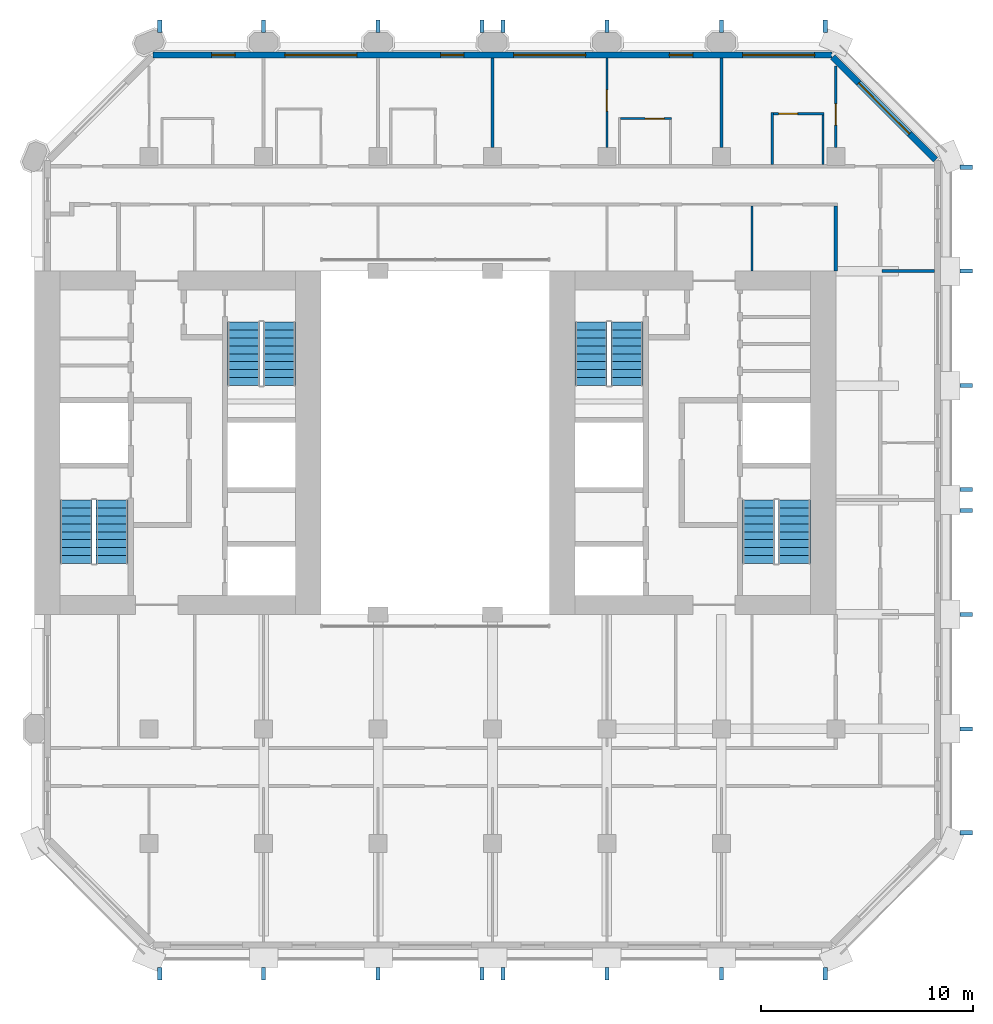
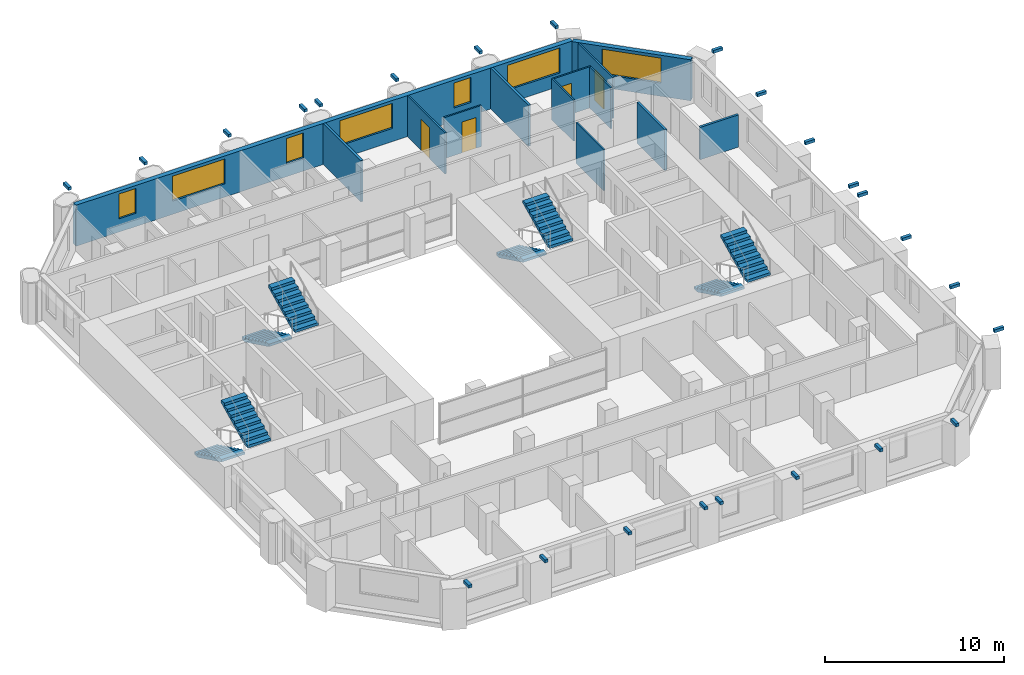
# One storey, part 10 of 12: 24 discrete accessories, 13 walls, 8 stair flights, 7 windows, 4 doors, 11 openings, 4 elements without a shape of their own.
"""IFC4 building model written with IfcOpenShell, lengths in metres."""

from ifc_helpers import new_model, si_unit, direction, frame, frame_2d, origin, origin_2d, place, context, subcontext, project, spatial, polyline, rectangle, outline, extrude, material, layer, layer_set, type_object, element, fill, aggregate, save


model = new_model("IFC4")

# Units and contexts
model_context = context("Model", 3, precision=1e-05, world=origin(), true_north=direction((0.0, 1.0)))
body_context = subcontext(model_context, "Body", "Model", "MODEL_VIEW")
ifc_project = project(units=[si_unit("LENGTHUNIT", "METRE"), si_unit("AREAUNIT", "SQUARE_METRE"), si_unit("VOLUMEUNIT", "CUBIC_METRE"), si_unit("PLANEANGLEUNIT", "RADIAN"), si_unit("MASSUNIT", "GRAM", prefix="KILO")], contexts=[model_context])

# Site, building, storey
site_placement = place(None, origin())
site = spatial("IfcSite", under=ifc_project, at=site_placement, CompositionType="ELEMENT")
building_placement = place(site_placement, origin())
building = spatial("IfcBuilding", under=site, at=building_placement, Name="Tabaq Tower and Sports Hall", CompositionType="ELEMENT")
storey_placement = place(building_placement, frame((0.0, 0.0, 172.60009765625)))
storey = spatial("IfcBuildingStorey", under=building, at=storey_placement, Name="L41", CompositionType="ELEMENT", Elevation=172.60009765625)

# Wall, opening, door
ifc_material_1 = material(Name="Gypsum board on steel studs", Category="steel")
ifc_layer_1 = layer(ifc_material_1, 0.10009765625)
ifc_layer_set_1 = layer_set([ifc_layer_1], Name="Partition 100 Gypsum board")
wall_type_1 = type_object("IfcWallType", Name="Partition 100 Gypsum board", PredefinedType="PARTITIONING", material=ifc_layer_set_1)
wall_1_placement = place(storey_placement, frame((32.39990234375, 42.448974609375, 0.0), z_axis=(0.0, 0.0, 1.0), x_axis=(0.0, -1.0, 0.0)))
wall_1 = element("IfcWall", 1, at=wall_1_placement, inside=storey, type_object=wall_type_1, Name="Partition wall L41", PredefinedType="PARTITIONING", context=body_context, shape_type="SweptSolid", body=[
    extrude(rectangle(XDim=4.203857421875, YDim=0.10009765625, at=frame_2d((2.10205078125, 0.0))), origin(), (0.0, 0.0, 1.0), 2.7998046875),
])
opening_1_placement = place(wall_1_placement, frame((1.4970703125, 0.0, 0.0)))
opening_1 = element("IfcOpeningElement", 2, at=opening_1_placement, cuts=wall_1, Name="Opening L41-032", PredefinedType="OPENING", context=body_context, shape_type="SweptSolid", body=[
    extrude(rectangle(XDim=1.0, YDim=2.10009765625, at=frame_2d((0.5, 1.050048828125))), frame((0.0, 0.050048828125, 0.0), z_axis=(0.0, -1.0, 0.0), x_axis=(1.0, 0.0, 0.0)), (0.0, 0.0, 1.0), 0.10009765625),
])
ifc_material_2 = material(Name="Timber leaf in steel frame", Category="steel")
door_type_1 = type_object("IfcDoorType", Name="Internal door 1000 right hand", OperationType="SINGLE_SWING_RIGHT", PredefinedType="DOOR", material=ifc_material_2)
door_1_placement = place(opening_1_placement, origin())
door_1 = element("IfcDoor", 3, at=door_1_placement, inside=storey, type_object=door_type_1, Name="Internal door L41-032", OperationType="SINGLE_SWING_RIGHT", OverallHeight=2.10009765625, OverallWidth=1.0, PredefinedType="DOOR", context=body_context, shape_type="SweptSolid", body=[
    extrude(rectangle(XDim=1.0, YDim=2.10009765625, at=frame_2d((0.5, 1.050048828125))), frame((0.0, 0.02490234375, 0.0), z_axis=(0.0, -1.0, 0.0), x_axis=(1.0, 0.0, 0.0)), (0.0, 0.0, 1.0), 0.050048828125),
])
fill(opening_1, door_1)

wall_2_placement = place(storey_placement, frame((33.050048828125, 39.60009765625, 0.0), z_axis=(0.0, 0.0, 1.0), x_axis=(1.0, 0.0, 0.0)))
wall_2 = element("IfcWall", 4, at=wall_2_placement, inside=storey, type_object=wall_type_1, Name="Partition wall L41", PredefinedType="PARTITIONING", context=body_context, shape_type="SweptSolid", body=[
    extrude(rectangle(XDim=2.39990234375, YDim=0.10009765625, at=frame_2d((1.199951171875, 0.0))), origin(), (0.0, 0.0, 1.0), 2.7998046875),
])
opening_2_placement = place(wall_2_placement, frame((1.14990234375, 0.0, 0.0)))
opening_2 = element("IfcOpeningElement", 5, at=opening_2_placement, cuts=wall_2, Name="Opening L41-005", PredefinedType="OPENING", context=body_context, shape_type="SweptSolid", body=[
    extrude(rectangle(XDim=0.89990234375, YDim=2.10009765625, at=frame_2d((0.449951171875, 1.050048828125))), frame((0.0, 0.050048828125, 0.0), z_axis=(0.0, -1.0, 0.0), x_axis=(1.0, 0.0, 0.0)), (0.0, 0.0, 1.0), 0.10009765625),
])
ifc_material_3 = material(Name="Timber leaf in steel frame", Category="steel")
door_type_2 = type_object("IfcDoorType", Name="Internal door 900 right hand", OperationType="SINGLE_SWING_RIGHT", PredefinedType="DOOR", material=ifc_material_3)
door_2_placement = place(opening_2_placement, origin())
door_2 = element("IfcDoor", 6, at=door_2_placement, inside=storey, type_object=door_type_2, Name="Internal door L41-005", OperationType="SINGLE_SWING_RIGHT", OverallHeight=2.10009765625, OverallWidth=0.89990234375, PredefinedType="DOOR", context=body_context, shape_type="SweptSolid", body=[
    extrude(rectangle(XDim=0.89990234375, YDim=2.10009765625, at=frame_2d((0.449951171875, 1.050048828125))), frame((0.0, 0.02490234375, 0.0), z_axis=(0.0, -1.0, 0.0), x_axis=(1.0, 0.0, 0.0)), (0.0, 0.0, 1.0), 0.050048828125),
])
fill(opening_2, door_2)

# Wall
wall_3_placement = place(storey_placement, frame((40.199951171875, 37.425048828125, 0.0), z_axis=(0.0, 0.0, 1.0), x_axis=(0.0, 1.0, 0.0)))
element("IfcWall", 7, at=wall_3_placement, inside=storey, type_object=wall_type_1, Name="Partition wall L41", PredefinedType="PARTITIONING", context=body_context, shape_type="SweptSolid", body=[
    extrude(rectangle(XDim=2.449951171875, YDim=0.10009765625, at=frame_2d((1.22509765625, 0.0))), origin(), (0.0, 0.0, 1.0), 2.7998046875),
])

# Wall, opening, door
wall_4_placement = place(storey_placement, frame((40.25, 39.824951171875, 0.0), z_axis=(0.0, 0.0, 1.0), x_axis=(1.0, 0.0, 0.0)))
wall_4 = element("IfcWall", 8, at=wall_4_placement, inside=storey, type_object=wall_type_1, Name="Partition wall L41", PredefinedType="PARTITIONING", context=body_context, shape_type="SweptSolid", body=[
    extrude(rectangle(XDim=2.39990234375, YDim=0.10009765625, at=frame_2d((1.199951171875, 0.0))), origin(), (0.0, 0.0, 1.0), 2.7998046875),
])
opening_3_placement = place(wall_4_placement, frame((0.25, 0.0, 0.0)))
opening_3 = element("IfcOpeningElement", 9, at=opening_3_placement, cuts=wall_4, Name="Opening L41-006", PredefinedType="OPENING", context=body_context, shape_type="SweptSolid", body=[
    extrude(rectangle(XDim=0.89990234375, YDim=2.10009765625, at=frame_2d((0.449951171875, 1.050048828125))), frame((0.0, 0.050048828125, 0.0), z_axis=(0.0, -1.0, 0.0), x_axis=(1.0, 0.0, 0.0)), (0.0, 0.0, 1.0), 0.10009765625),
])
ifc_material_4 = material(Name="Timber leaf in steel frame", Category="steel")
door_type_3 = type_object("IfcDoorType", Name="Internal door 900 left hand", OperationType="SINGLE_SWING_LEFT", PredefinedType="DOOR", material=ifc_material_4)
door_3_placement = place(opening_3_placement, origin())
door_3 = element("IfcDoor", 10, at=door_3_placement, inside=storey, type_object=door_type_3, Name="Internal door L41-006", OperationType="SINGLE_SWING_LEFT", OverallHeight=2.10009765625, OverallWidth=0.89990234375, PredefinedType="DOOR", context=body_context, shape_type="SweptSolid", body=[
    extrude(rectangle(XDim=0.89990234375, YDim=2.10009765625, at=frame_2d((0.449951171875, 1.050048828125))), frame((0.0, 0.02490234375, 0.0), z_axis=(0.0, -1.0, 0.0), x_axis=(1.0, 0.0, 0.0)), (0.0, 0.0, 1.0), 0.050048828125),
])
fill(opening_3, door_3)

# Wall
wall_5_placement = place(storey_placement, frame((42.60009765625, 39.77490234375, 0.0), z_axis=(0.0, 0.0, 1.0), x_axis=(0.0, -1.0, 0.0)))
element("IfcWall", 11, at=wall_5_placement, inside=storey, type_object=wall_type_1, Name="Partition wall L41", PredefinedType="PARTITIONING", context=body_context, shape_type="SweptSolid", body=[
    extrude(rectangle(XDim=2.349853515625, YDim=0.10009765625, at=frame_2d((1.1748046875, 0.0))), origin(), (0.0, 0.0, 1.0), 2.7998046875),
])

# Wall, opening, door
wall_6_placement = place(storey_placement, frame((43.199951171875, 38.2451171875, 0.0), z_axis=(0.0, 0.0, 1.0), x_axis=(0.0, 1.0, 0.0)))
wall_6 = element("IfcWall", 12, at=wall_6_placement, inside=storey, type_object=wall_type_1, Name="Partition wall L41", PredefinedType="PARTITIONING", context=body_context, shape_type="SweptSolid", body=[
    extrude(rectangle(XDim=3.8427734375, YDim=0.10009765625, at=frame_2d((1.92138671875, 0.0))), origin(), (0.0, 0.0, 1.0), 2.7998046875),
])
opening_4_placement = place(wall_6_placement, frame((1.04248046875, 0.0, 0.0)))
opening_4 = element("IfcOpeningElement", 13, at=opening_4_placement, cuts=wall_6, Name="Opening L41-034", PredefinedType="OPENING", context=body_context, shape_type="SweptSolid", body=[
    extrude(rectangle(XDim=1.0, YDim=2.10009765625, at=frame_2d((0.5, 1.050048828125))), frame((0.0, 0.050048828125, 0.0), z_axis=(0.0, -1.0, 0.0), x_axis=(1.0, 0.0, 0.0)), (0.0, 0.0, 1.0), 0.10009765625),
])
ifc_material_5 = material(Name="Timber leaf in steel frame", Category="steel")
door_type_4 = type_object("IfcDoorType", Name="Internal door 1000 left hand", OperationType="SINGLE_SWING_LEFT", PredefinedType="DOOR", material=ifc_material_5)
door_4_placement = place(opening_4_placement, origin())
door_4 = element("IfcDoor", 14, at=door_4_placement, inside=storey, type_object=door_type_4, Name="Internal door L41-034", OperationType="SINGLE_SWING_LEFT", OverallHeight=2.10009765625, OverallWidth=1.0, PredefinedType="DOOR", context=body_context, shape_type="SweptSolid", body=[
    extrude(rectangle(XDim=1.0, YDim=2.10009765625, at=frame_2d((0.5, 1.050048828125))), frame((0.0, 0.02490234375, 0.0), z_axis=(0.0, -1.0, 0.0), x_axis=(1.0, 0.0, 0.0)), (0.0, 0.0, 1.0), 0.050048828125),
])
fill(opening_4, door_4)

# Walls
wall_7_placement = place(storey_placement, frame((39.25, 32.39990234375, 0.0), z_axis=(0.0, 0.0, 1.0), x_axis=(0.0, 1.0, 0.0)))
element("IfcWall", 15, at=wall_7_placement, inside=storey, type_object=wall_type_1, Name="Partition wall L41", PredefinedType="PARTITIONING", context=body_context, shape_type="SweptSolid", body=[
    extrude(rectangle(XDim=3.0751953125, YDim=0.10009765625, at=frame_2d((1.53759765625, 0.0))), origin(), (0.0, 0.0, 1.0), 2.7998046875),
])
ifc_material_6 = material(Name="Blockwork", Category="masonry")
ifc_layer_2 = layer(ifc_material_6, 0.14990234375)
ifc_layer_set_2 = layer_set([ifc_layer_2], Name="Separating wall 150 Blockwork")
wall_type_2 = type_object("IfcWallType", Name="Separating wall 150 Blockwork", PredefinedType="PARTITIONING", material=ifc_layer_set_2)
wall_8_placement = place(storey_placement, frame((45.375, 32.39990234375, 0.0), z_axis=(0.0, 0.0, 1.0), x_axis=(1.0, 0.0, 0.0)))
element("IfcWall", 16, at=wall_8_placement, inside=storey, type_object=wall_type_2, Name="Separating wall L41", PredefinedType="PARTITIONING", context=body_context, shape_type="SweptSolid", body=[
    extrude(rectangle(XDim=2.47412109375, YDim=0.14990234375, at=frame_2d((1.237060546875, 0.0))), origin(), (0.0, 0.0, 1.0), 2.199951171875),
])
for number, where, z_axis, x_axis, name in (
    (17, (27.0, 38.2451171875, 0.0), (0.0, 0.0, 1.0), (0.0, 1.0, 0.0), "Separating wall L41"),
    (18, (37.800048828125, 38.2451171875, 0.0), (0.0, 0.0, 1.0), (0.0, 1.0, 0.0), "Separating wall L41"),
):
    element("IfcWall", number, at=place(storey_placement, frame(where, z_axis=z_axis, x_axis=x_axis)), inside=storey, type_object=wall_type_2, Name=name, PredefinedType="PARTITIONING", context=body_context, shape_type="SweptSolid", body=[
        extrude(rectangle(XDim=4.203857421875, YDim=0.14990234375, at=frame_2d((2.10205078125, 0.0))), origin(), (0.0, 0.0, 1.0), 2.7998046875),
    ])
wall_9_placement = place(storey_placement, frame((43.199951171875, 35.47509765625, 0.0), z_axis=(0.0, 0.0, 1.0), x_axis=(0.0, -1.0, 0.0)))
element("IfcWall", 19, at=wall_9_placement, inside=storey, type_object=wall_type_2, Name="Separating wall L41", PredefinedType="PARTITIONING", context=body_context, shape_type="SweptSolid", body=[
    extrude(rectangle(XDim=3.0751953125, YDim=0.14990234375, at=frame_2d((1.53759765625, 0.0))), origin(), (0.0, 0.0, 1.0), 2.7998046875),
])

# Wall, opening, window
ifc_material_7 = material(Name="White precast concrete C60/75", Category="concrete")
ifc_layer_3 = layer(ifc_material_7, 0.300048828125)
ifc_layer_set_3 = layer_set([ifc_layer_3], Name="White precast concrete C60/75 external wall 300")
wall_type_3 = type_object("IfcWallType", Name="White precast concrete C60/75 external wall 300", PredefinedType="SOLIDWALL", material=ifc_layer_set_3)
wall_10_placement = place(storey_placement, frame((47.901123046875, 37.650390625, 0.0), z_axis=(0.0, 0.0, 1.0), x_axis=(-0.707106781187, 0.707106781187, 0.0)))
wall_10 = element("IfcWall", 20, at=wall_10_placement, inside=storey, type_object=wall_type_3, Name="External Wall L41 NE", PredefinedType="SOLIDWALL", context=body_context, shape_type="SweptSolid", body=[
    extrude(rectangle(XDim=6.85986328125, YDim=0.300048828125, at=frame_2d((3.429931640625, 0.0))), origin(), (0.0, 0.0, 1.0), 2.7998046875),
])
opening_5_placement = place(wall_10_placement, frame((1.729736328125, 0.0, 0.89990234375)))
opening_5 = element("IfcOpeningElement", 21, at=opening_5_placement, cuts=wall_10, Name="Opening W1A", PredefinedType="OPENING", context=body_context, shape_type="SweptSolid", body=[
    extrude(rectangle(XDim=3.39990234375, YDim=1.699951171875, at=frame_2d((1.699951171875, 0.85009765625))), frame((0.0, 0.16015625, 0.0), z_axis=(0.0, -1.0, 0.0), x_axis=(1.0, 0.0, 0.0)), (0.0, 0.0, 1.0), 0.320068359375),
])
ifc_material_8 = material(Name="Aluminium framed clear glazing", Category="aluminium")
window_type_1 = type_object("IfcWindowType", Name="Window W1A", PartitioningType="SINGLE_PANEL", PredefinedType="WINDOW", material=ifc_material_8)
window_1_placement = place(opening_5_placement, origin())
window_1 = element("IfcWindow", 22, at=window_1_placement, inside=storey, type_object=window_type_1, Name="Window W1A L41", OverallHeight=1.699951171875, OverallWidth=3.39990234375, PartitioningType="SINGLE_PANEL", PredefinedType="WINDOW", context=body_context, shape_type="SweptSolid", body=[
    extrude(rectangle(XDim=3.39990234375, YDim=1.699951171875, at=frame_2d((1.699951171875, 0.85009765625))), frame((0.0, 0.030029296875, 0.0), z_axis=(0.0, -1.0, 0.0), x_axis=(1.0, 0.0, 0.0)), (0.0, 0.0, 1.0), 0.06005859375),
])
fill(opening_5, window_1)

# Wall, openings, windows
wall_11_placement = place(storey_placement, frame((43.013671875, 42.60009765625, 0.0), z_axis=(0.0, 0.0, 1.0), x_axis=(-1.0, 0.0, 0.0)))
wall_11 = element("IfcWall", 23, at=wall_11_placement, inside=storey, type_object=wall_type_3, Name="External Wall L41 N", PredefinedType="SOLIDWALL", context=body_context, shape_type="SweptSolid", body=[
    extrude(rectangle(XDim=32.02734375, YDim=0.300048828125, at=frame_2d((16.013671875, 0.0))), origin(), (0.0, 0.0, 1.0), 2.7998046875),
])
opening_6_placement = place(wall_11_placement, frame((0.813720703125, 0.0, 0.89990234375)))
opening_6 = element("IfcOpeningElement", 24, at=opening_6_placement, cuts=wall_11, Name="Opening W1A", PredefinedType="OPENING", context=body_context, shape_type="SweptSolid", body=[
    extrude(rectangle(XDim=3.39990234375, YDim=1.699951171875, at=frame_2d((1.699951171875, 0.85009765625))), frame((0.0, 0.16015625, 0.0), z_axis=(0.0, -1.0, 0.0), x_axis=(1.0, 0.0, 0.0)), (0.0, 0.0, 1.0), 0.320068359375),
])
opening_7_placement = place(wall_11_placement, frame((6.563720703125, 0.0, 0.89990234375)))
opening_7 = element("IfcOpeningElement", 25, at=opening_7_placement, cuts=wall_11, Name="Opening W1B", PredefinedType="OPENING", context=body_context, shape_type="SweptSolid", body=[
    extrude(rectangle(XDim=1.10009765625, YDim=1.699951171875, at=frame_2d((0.550048828125, 0.85009765625))), frame((0.0, 0.16015625, 0.0), z_axis=(0.0, -1.0, 0.0), x_axis=(1.0, 0.0, 0.0)), (0.0, 0.0, 1.0), 0.320068359375),
])
opening_8_placement = place(wall_11_placement, frame((11.613525390625, 0.0, 0.89990234375)))
opening_8 = element("IfcOpeningElement", 26, at=opening_8_placement, cuts=wall_11, Name="Opening W1A", PredefinedType="OPENING", context=body_context, shape_type="SweptSolid", body=[
    extrude(rectangle(XDim=3.39990234375, YDim=1.699951171875, at=frame_2d((1.699951171875, 0.85009765625))), frame((0.0, 0.16015625, 0.0), z_axis=(0.0, -1.0, 0.0), x_axis=(1.0, 0.0, 0.0)), (0.0, 0.0, 1.0), 0.320068359375),
])
opening_9_placement = place(wall_11_placement, frame((17.363525390625, 0.0, 0.89990234375)))
opening_9 = element("IfcOpeningElement", 27, at=opening_9_placement, cuts=wall_11, Name="Opening W1B", PredefinedType="OPENING", context=body_context, shape_type="SweptSolid", body=[
    extrude(rectangle(XDim=1.10009765625, YDim=1.699951171875, at=frame_2d((0.550048828125, 0.85009765625))), frame((0.0, 0.16015625, 0.0), z_axis=(0.0, -1.0, 0.0), x_axis=(1.0, 0.0, 0.0)), (0.0, 0.0, 1.0), 0.320068359375),
])
opening_10_placement = place(wall_11_placement, frame((22.41357421875, 0.0, 0.89990234375)))
opening_10 = element("IfcOpeningElement", 28, at=opening_10_placement, cuts=wall_11, Name="Opening W1A", PredefinedType="OPENING", context=body_context, shape_type="SweptSolid", body=[
    extrude(rectangle(XDim=3.39990234375, YDim=1.699951171875, at=frame_2d((1.699951171875, 0.85009765625))), frame((0.0, 0.16015625, 0.0), z_axis=(0.0, -1.0, 0.0), x_axis=(1.0, 0.0, 0.0)), (0.0, 0.0, 1.0), 0.320068359375),
])
opening_11_placement = place(wall_11_placement, frame((28.16357421875, 0.0, 0.89990234375)))
opening_11 = element("IfcOpeningElement", 29, at=opening_11_placement, cuts=wall_11, Name="Opening W1B", PredefinedType="OPENING", context=body_context, shape_type="SweptSolid", body=[
    extrude(rectangle(XDim=1.10009765625, YDim=1.699951171875, at=frame_2d((0.550048828125, 0.85009765625))), frame((0.0, 0.16015625, 0.0), z_axis=(0.0, -1.0, 0.0), x_axis=(1.0, 0.0, 0.0)), (0.0, 0.0, 1.0), 0.320068359375),
])
window_2_placement = place(opening_6_placement, origin())
window_2 = element("IfcWindow", 30, at=window_2_placement, inside=storey, type_object=window_type_1, Name="Window W1A L41", OverallHeight=1.699951171875, OverallWidth=3.39990234375, PartitioningType="SINGLE_PANEL", PredefinedType="WINDOW", context=body_context, shape_type="SweptSolid", body=[
    extrude(rectangle(XDim=3.39990234375, YDim=1.699951171875, at=frame_2d((1.699951171875, 0.85009765625))), frame((0.0, 0.030029296875, 0.0), z_axis=(0.0, -1.0, 0.0), x_axis=(1.0, 0.0, 0.0)), (0.0, 0.0, 1.0), 0.06005859375),
])
fill(opening_6, window_2)
window_3_placement = place(opening_8_placement, origin())
window_3 = element("IfcWindow", 31, at=window_3_placement, inside=storey, type_object=window_type_1, Name="Window W1A L41", OverallHeight=1.699951171875, OverallWidth=3.39990234375, PartitioningType="SINGLE_PANEL", PredefinedType="WINDOW", context=body_context, shape_type="SweptSolid", body=[
    extrude(rectangle(XDim=3.39990234375, YDim=1.699951171875, at=frame_2d((1.699951171875, 0.85009765625))), frame((0.0, 0.030029296875, 0.0), z_axis=(0.0, -1.0, 0.0), x_axis=(1.0, 0.0, 0.0)), (0.0, 0.0, 1.0), 0.06005859375),
])
fill(opening_8, window_3)
window_4_placement = place(opening_10_placement, origin())
window_4 = element("IfcWindow", 32, at=window_4_placement, inside=storey, type_object=window_type_1, Name="Window W1A L41", OverallHeight=1.699951171875, OverallWidth=3.39990234375, PartitioningType="SINGLE_PANEL", PredefinedType="WINDOW", context=body_context, shape_type="SweptSolid", body=[
    extrude(rectangle(XDim=3.39990234375, YDim=1.699951171875, at=frame_2d((1.699951171875, 0.85009765625))), frame((0.0, 0.030029296875, 0.0), z_axis=(0.0, -1.0, 0.0), x_axis=(1.0, 0.0, 0.0)), (0.0, 0.0, 1.0), 0.06005859375),
])
fill(opening_10, window_4)
ifc_material_9 = material(Name="Aluminium framed clear glazing", Category="aluminium")
window_type_2 = type_object("IfcWindowType", Name="Window W1B", PartitioningType="SINGLE_PANEL", PredefinedType="WINDOW", material=ifc_material_9)
window_5_placement = place(opening_7_placement, origin())
window_5 = element("IfcWindow", 33, at=window_5_placement, inside=storey, type_object=window_type_2, Name="Window W1B L41", OverallHeight=1.699951171875, OverallWidth=1.10009765625, PartitioningType="SINGLE_PANEL", PredefinedType="WINDOW", context=body_context, shape_type="SweptSolid", body=[
    extrude(rectangle(XDim=1.10009765625, YDim=1.699951171875, at=frame_2d((0.550048828125, 0.85009765625))), frame((0.0, 0.030029296875, 0.0), z_axis=(0.0, -1.0, 0.0), x_axis=(1.0, 0.0, 0.0)), (0.0, 0.0, 1.0), 0.06005859375),
])
fill(opening_7, window_5)
window_6_placement = place(opening_9_placement, origin())
window_6 = element("IfcWindow", 34, at=window_6_placement, inside=storey, type_object=window_type_2, Name="Window W1B L41", OverallHeight=1.699951171875, OverallWidth=1.10009765625, PartitioningType="SINGLE_PANEL", PredefinedType="WINDOW", context=body_context, shape_type="SweptSolid", body=[
    extrude(rectangle(XDim=1.10009765625, YDim=1.699951171875, at=frame_2d((0.550048828125, 0.85009765625))), frame((0.0, 0.030029296875, 0.0), z_axis=(0.0, -1.0, 0.0), x_axis=(1.0, 0.0, 0.0)), (0.0, 0.0, 1.0), 0.06005859375),
])
fill(opening_9, window_6)
window_7_placement = place(opening_11_placement, origin())
window_7 = element("IfcWindow", 35, at=window_7_placement, inside=storey, type_object=window_type_2, Name="Window W1B L41", OverallHeight=1.699951171875, OverallWidth=1.10009765625, PartitioningType="SINGLE_PANEL", PredefinedType="WINDOW", context=body_context, shape_type="SweptSolid", body=[
    extrude(rectangle(XDim=1.10009765625, YDim=1.699951171875, at=frame_2d((0.550048828125, 0.85009765625))), frame((0.0, 0.030029296875, 0.0), z_axis=(0.0, -1.0, 0.0), x_axis=(1.0, 0.0, 0.0)), (0.0, 0.0, 1.0), 0.06005859375),
])
fill(opening_11, window_7)

# Stair, stair flights
ifc_material_10 = material(Name="Concrete C40/50", Category="concrete")
stair_type = type_object("IfcStairType", Name="Exit stair", PredefinedType="HALF_TURN_STAIR", material=ifc_material_10)
stair_1_placement = place(storey_placement, origin())
stair_1 = element("IfcStair", 36, at=stair_1_placement, inside=storey, type_object=stair_type, Name="L41 Exit stair ST1", PredefinedType="HALF_TURN_STAIR")
ifc_material_11 = material(Name="Concrete C40/50", Category="concrete")
stair_flight_type = type_object("IfcStairFlightType", Name="Exit stair flight", PredefinedType="STRAIGHT", material=ifc_material_11)
stair_flight_1_placement = place(storey_placement, frame((7.35009765625, 21.60009765625, 0.0), z_axis=(0.0, 0.0, 1.0), x_axis=(0.0, -1.0, 0.0)))
stair_flight_1 = element("IfcStairFlight", 37, at=stair_flight_1_placement, type_object=stair_flight_type, Name="ST1 flight 1", NumberOfRisers=9, NumberOfTreads=8, PredefinedType="STRAIGHT", RiserHeight=0.183333333, TreadLength=0.375, context=body_context, shape_type="SweptSolid", body=[
    extrude(outline(polyline([(0.0, 0.0), (0.0, 0.183349609375), (0.375, 0.183349609375), (0.375, 0.36669921875), (0.75, 0.36669921875), (0.75, 0.550048828125), (1.125, 0.550048828125), (1.125, 0.7333984375), (1.5, 0.7333984375), (1.5, 0.916748046875), (1.875, 0.916748046875), (1.875, 1.10009765625), (2.25, 1.10009765625), (2.25, 1.283447265625), (2.625, 1.283447265625), (2.625, 1.466552734375), (3.0, 1.466552734375), (3.0, 1.64990234375), (3.0, 1.2998046875), (0.34130859375, 0.0), (0.0, 0.0)])), frame((0.0, 0.75, 0.0), z_axis=(0.0, -1.0, 0.0), x_axis=(1.0, 0.0, 0.0)), (0.0, 0.0, 1.0), 1.5),
])
stair_flight_2_placement = place(storey_placement, frame((9.050048828125, 18.60009765625, 1.64990234375), z_axis=(0.0, 0.0, 1.0), x_axis=(0.0, 1.0, 0.0)))
stair_flight_2 = element("IfcStairFlight", 38, at=stair_flight_2_placement, type_object=stair_flight_type, Name="ST1 flight 2", NumberOfRisers=9, NumberOfTreads=8, PredefinedType="STRAIGHT", RiserHeight=0.183333333, TreadLength=0.375, context=body_context, shape_type="SweptSolid", body=[
    extrude(outline(polyline([(0.0, 0.0), (0.0, 0.183349609375), (0.375, 0.183349609375), (0.375, 0.36669921875), (0.75, 0.36669921875), (0.75, 0.550048828125), (1.125, 0.550048828125), (1.125, 0.7333984375), (1.5, 0.7333984375), (1.5, 0.916748046875), (1.875, 0.916748046875), (1.875, 1.10009765625), (2.25, 1.10009765625), (2.25, 1.283447265625), (2.625, 1.283447265625), (2.625, 1.466552734375), (3.0, 1.466552734375), (3.0, 1.64990234375), (3.0, 1.2998046875), (0.34130859375, 0.0), (0.0, 0.0)])), frame((0.0, 0.75, 0.0), z_axis=(0.0, -1.0, 0.0), x_axis=(1.0, 0.0, 0.0)), (0.0, 0.0, 1.0), 1.5),
])
aggregate(stair_1, [stair_flight_1, stair_flight_2])

stair_2_placement = place(storey_placement, origin())
stair_2 = element("IfcStair", 39, at=stair_2_placement, inside=storey, type_object=stair_type, Name="L41 Exit stair ST2", PredefinedType="HALF_TURN_STAIR")
stair_flight_3_placement = place(storey_placement, frame((15.25, 30.0, 0.0), z_axis=(0.0, 0.0, 1.0), x_axis=(0.0, -1.0, 0.0)))
stair_flight_3 = element("IfcStairFlight", 40, at=stair_flight_3_placement, type_object=stair_flight_type, Name="ST2 flight 1", NumberOfRisers=9, NumberOfTreads=8, PredefinedType="STRAIGHT", RiserHeight=0.183333333, TreadLength=0.375, context=body_context, shape_type="SweptSolid", body=[
    extrude(outline(polyline([(0.0, 0.0), (0.0, 0.183349609375), (0.375, 0.183349609375), (0.375, 0.36669921875), (0.75, 0.36669921875), (0.75, 0.550048828125), (1.125, 0.550048828125), (1.125, 0.7333984375), (1.5, 0.7333984375), (1.5, 0.916748046875), (1.875, 0.916748046875), (1.875, 1.10009765625), (2.25, 1.10009765625), (2.25, 1.283447265625), (2.625, 1.283447265625), (2.625, 1.466552734375), (3.0, 1.466552734375), (3.0, 1.64990234375), (3.0, 1.2998046875), (0.34130859375, 0.0), (0.0, 0.0)])), frame((0.0, 0.75, 0.0), z_axis=(0.0, -1.0, 0.0), x_axis=(1.0, 0.0, 0.0)), (0.0, 0.0, 1.0), 1.5),
])
stair_flight_4_placement = place(storey_placement, frame((16.949951171875, 27.0, 1.64990234375), z_axis=(0.0, 0.0, 1.0), x_axis=(0.0, 1.0, 0.0)))
stair_flight_4 = element("IfcStairFlight", 41, at=stair_flight_4_placement, type_object=stair_flight_type, Name="ST2 flight 2", NumberOfRisers=9, NumberOfTreads=8, PredefinedType="STRAIGHT", RiserHeight=0.183333333, TreadLength=0.375, context=body_context, shape_type="SweptSolid", body=[
    extrude(outline(polyline([(0.0, 0.0), (0.0, 0.183349609375), (0.375, 0.183349609375), (0.375, 0.36669921875), (0.75, 0.36669921875), (0.75, 0.550048828125), (1.125, 0.550048828125), (1.125, 0.7333984375), (1.5, 0.7333984375), (1.5, 0.916748046875), (1.875, 0.916748046875), (1.875, 1.10009765625), (2.25, 1.10009765625), (2.25, 1.283447265625), (2.625, 1.283447265625), (2.625, 1.466552734375), (3.0, 1.466552734375), (3.0, 1.64990234375), (3.0, 1.2998046875), (0.34130859375, 0.0), (0.0, 0.0)])), frame((0.0, 0.75, 0.0), z_axis=(0.0, -1.0, 0.0), x_axis=(1.0, 0.0, 0.0)), (0.0, 0.0, 1.0), 1.5),
])
aggregate(stair_2, [stair_flight_3, stair_flight_4])

stair_3_placement = place(storey_placement, origin())
stair_3 = element("IfcStair", 42, at=stair_3_placement, inside=storey, type_object=stair_type, Name="L41 Exit stair ST3", PredefinedType="HALF_TURN_STAIR")
stair_flight_5_placement = place(storey_placement, frame((39.550048828125, 21.60009765625, 0.0), z_axis=(0.0, 0.0, 1.0), x_axis=(0.0, -1.0, 0.0)))
stair_flight_5 = element("IfcStairFlight", 43, at=stair_flight_5_placement, type_object=stair_flight_type, Name="ST3 flight 1", NumberOfRisers=9, NumberOfTreads=8, PredefinedType="STRAIGHT", RiserHeight=0.183333333, TreadLength=0.375, context=body_context, shape_type="SweptSolid", body=[
    extrude(outline(polyline([(0.0, 0.0), (0.0, 0.183349609375), (0.375, 0.183349609375), (0.375, 0.36669921875), (0.75, 0.36669921875), (0.75, 0.550048828125), (1.125, 0.550048828125), (1.125, 0.7333984375), (1.5, 0.7333984375), (1.5, 0.916748046875), (1.875, 0.916748046875), (1.875, 1.10009765625), (2.25, 1.10009765625), (2.25, 1.283447265625), (2.625, 1.283447265625), (2.625, 1.466552734375), (3.0, 1.466552734375), (3.0, 1.64990234375), (3.0, 1.2998046875), (0.34130859375, 0.0), (0.0, 0.0)])), frame((0.0, 0.75, 0.0), z_axis=(0.0, -1.0, 0.0), x_axis=(1.0, 0.0, 0.0)), (0.0, 0.0, 1.0), 1.5),
])
stair_flight_6_placement = place(storey_placement, frame((41.25, 18.60009765625, 1.64990234375), z_axis=(0.0, 0.0, 1.0), x_axis=(0.0, 1.0, 0.0)))
stair_flight_6 = element("IfcStairFlight", 44, at=stair_flight_6_placement, type_object=stair_flight_type, Name="ST3 flight 2", NumberOfRisers=9, NumberOfTreads=8, PredefinedType="STRAIGHT", RiserHeight=0.183333333, TreadLength=0.375, context=body_context, shape_type="SweptSolid", body=[
    extrude(outline(polyline([(0.0, 0.0), (0.0, 0.183349609375), (0.375, 0.183349609375), (0.375, 0.36669921875), (0.75, 0.36669921875), (0.75, 0.550048828125), (1.125, 0.550048828125), (1.125, 0.7333984375), (1.5, 0.7333984375), (1.5, 0.916748046875), (1.875, 0.916748046875), (1.875, 1.10009765625), (2.25, 1.10009765625), (2.25, 1.283447265625), (2.625, 1.283447265625), (2.625, 1.466552734375), (3.0, 1.466552734375), (3.0, 1.64990234375), (3.0, 1.2998046875), (0.34130859375, 0.0), (0.0, 0.0)])), frame((0.0, 0.75, 0.0), z_axis=(0.0, -1.0, 0.0), x_axis=(1.0, 0.0, 0.0)), (0.0, 0.0, 1.0), 1.5),
])
aggregate(stair_3, [stair_flight_5, stair_flight_6])

stair_4_placement = place(storey_placement, origin())
stair_4 = element("IfcStair", 45, at=stair_4_placement, inside=storey, type_object=stair_type, Name="L41 Exit stair ST4", PredefinedType="HALF_TURN_STAIR")
stair_flight_7_placement = place(storey_placement, frame((31.64990234375, 30.0, 0.0), z_axis=(0.0, 0.0, 1.0), x_axis=(0.0, -1.0, 0.0)))
stair_flight_7 = element("IfcStairFlight", 46, at=stair_flight_7_placement, type_object=stair_flight_type, Name="ST4 flight 1", NumberOfRisers=9, NumberOfTreads=8, PredefinedType="STRAIGHT", RiserHeight=0.183333333, TreadLength=0.375, context=body_context, shape_type="SweptSolid", body=[
    extrude(outline(polyline([(0.0, 0.0), (0.0, 0.183349609375), (0.375, 0.183349609375), (0.375, 0.36669921875), (0.75, 0.36669921875), (0.75, 0.550048828125), (1.125, 0.550048828125), (1.125, 0.7333984375), (1.5, 0.7333984375), (1.5, 0.916748046875), (1.875, 0.916748046875), (1.875, 1.10009765625), (2.25, 1.10009765625), (2.25, 1.283447265625), (2.625, 1.283447265625), (2.625, 1.466552734375), (3.0, 1.466552734375), (3.0, 1.64990234375), (3.0, 1.2998046875), (0.34130859375, 0.0), (0.0, 0.0)])), frame((0.0, 0.75, 0.0), z_axis=(0.0, -1.0, 0.0), x_axis=(1.0, 0.0, 0.0)), (0.0, 0.0, 1.0), 1.5),
])
stair_flight_8_placement = place(storey_placement, frame((33.35009765625, 27.0, 1.64990234375), z_axis=(0.0, 0.0, 1.0), x_axis=(0.0, 1.0, 0.0)))
stair_flight_8 = element("IfcStairFlight", 47, at=stair_flight_8_placement, type_object=stair_flight_type, Name="ST4 flight 2", NumberOfRisers=9, NumberOfTreads=8, PredefinedType="STRAIGHT", RiserHeight=0.183333333, TreadLength=0.375, context=body_context, shape_type="SweptSolid", body=[
    extrude(outline(polyline([(0.0, 0.0), (0.0, 0.183349609375), (0.375, 0.183349609375), (0.375, 0.36669921875), (0.75, 0.36669921875), (0.75, 0.550048828125), (1.125, 0.550048828125), (1.125, 0.7333984375), (1.5, 0.7333984375), (1.5, 0.916748046875), (1.875, 0.916748046875), (1.875, 1.10009765625), (2.25, 1.10009765625), (2.25, 1.283447265625), (2.625, 1.283447265625), (2.625, 1.466552734375), (3.0, 1.466552734375), (3.0, 1.64990234375), (3.0, 1.2998046875), (0.34130859375, 0.0), (0.0, 0.0)])), frame((0.0, 0.75, 0.0), z_axis=(0.0, -1.0, 0.0), x_axis=(1.0, 0.0, 0.0)), (0.0, 0.0, 1.0), 1.5),
])
aggregate(stair_4, [stair_flight_7, stair_flight_8])

# Discrete accessories
for number, where, z_axis, x_axis, name in (
    (48, (11.300048828125, -0.75, 3.0), (0.0, 0.0, 1.0), (0.0, -1.0, 0.0), "Stainless steel bracket"),
    (49, (16.199951171875, -0.75, 3.0), (0.0, 0.0, 1.0), (0.0, -1.0, 0.0), "Stainless steel bracket"),
    (50, (21.60009765625, -0.75, 3.0), (0.0, 0.0, 1.0), (0.0, -1.0, 0.0), "Stainless steel bracket"),
    (51, (26.5, -0.75, 3.0), (0.0, 0.0, 1.0), (0.0, -1.0, 0.0), "Stainless steel bracket"),
    (52, (27.5, -0.75, 3.0), (0.0, 0.0, 1.0), (0.0, -1.0, 0.0), "Stainless steel bracket"),
    (53, (32.39990234375, -0.75, 3.0), (0.0, 0.0, 1.0), (0.0, -1.0, 0.0), "Stainless steel bracket"),
    (54, (37.800048828125, -0.75, 3.0), (0.0, 0.0, 1.0), (0.0, -1.0, 0.0), "Stainless steel bracket"),
    (55, (42.699951171875, -0.75, 3.0), (0.0, 0.0, 1.0), (0.0, -1.0, 0.0), "Stainless steel bracket"),
    (56, (49.35009765625, 5.89990234375, 3.0), (0.0, 0.0, 1.0), (1.0, 0.0, 0.0), "Stainless steel bracket"),
    (57, (49.35009765625, 10.800048828125, 3.0), (0.0, 0.0, 1.0), (1.0, 0.0, 0.0), "Stainless steel bracket"),
    (58, (49.35009765625, 16.199951171875, 3.0), (0.0, 0.0, 1.0), (1.0, 0.0, 0.0), "Stainless steel bracket"),
    (59, (49.35009765625, 21.10009765625, 3.0), (0.0, 0.0, 1.0), (1.0, 0.0, 0.0), "Stainless steel bracket"),
    (60, (49.35009765625, 22.10009765625, 3.0), (0.0, 0.0, 1.0), (1.0, 0.0, 0.0), "Stainless steel bracket"),
    (61, (49.35009765625, 27.0, 3.0), (0.0, 0.0, 1.0), (1.0, 0.0, 0.0), "Stainless steel bracket"),
    (62, (49.35009765625, 32.39990234375, 3.0), (0.0, 0.0, 1.0), (1.0, 0.0, 0.0), "Stainless steel bracket"),
    (63, (49.35009765625, 37.300048828125, 3.0), (0.0, 0.0, 1.0), (1.0, 0.0, 0.0), "Stainless steel bracket"),
    (64, (42.699951171875, 43.949951171875, 3.0), (0.0, 0.0, 1.0), (0.0, 1.0, 0.0), "Stainless steel bracket"),
    (65, (37.800048828125, 43.949951171875, 3.0), (0.0, 0.0, 1.0), (0.0, 1.0, 0.0), "Stainless steel bracket"),
    (66, (32.39990234375, 43.949951171875, 3.0), (0.0, 0.0, 1.0), (0.0, 1.0, 0.0), "Stainless steel bracket"),
    (67, (27.5, 43.949951171875, 3.0), (0.0, 0.0, 1.0), (0.0, 1.0, 0.0), "Stainless steel bracket"),
    (68, (26.5, 43.949951171875, 3.0), (0.0, 0.0, 1.0), (0.0, 1.0, 0.0), "Stainless steel bracket"),
    (69, (21.60009765625, 43.949951171875, 3.0), (0.0, 0.0, 1.0), (0.0, 1.0, 0.0), "Stainless steel bracket"),
    (70, (16.199951171875, 43.949951171875, 3.0), (0.0, 0.0, 1.0), (0.0, 1.0, 0.0), "Stainless steel bracket"),
    (71, (11.300048828125, 43.949951171875, 3.0), (0.0, 0.0, 1.0), (0.0, 1.0, 0.0), "Stainless steel bracket"),
):
    element("IfcDiscreteAccessory", number, at=place(storey_placement, frame(where, z_axis=z_axis, x_axis=x_axis)), inside=storey, Name=name, PredefinedType="BRACKET", context=body_context, shape_type="SweptSolid", body=[
        extrude(rectangle(XDim=0.60009765625, YDim=0.199951171875, at=origin_2d()), origin(), (0.0, 0.0, 1.0), 0.199951171875),
    ])

save(model, "model.ifc")
